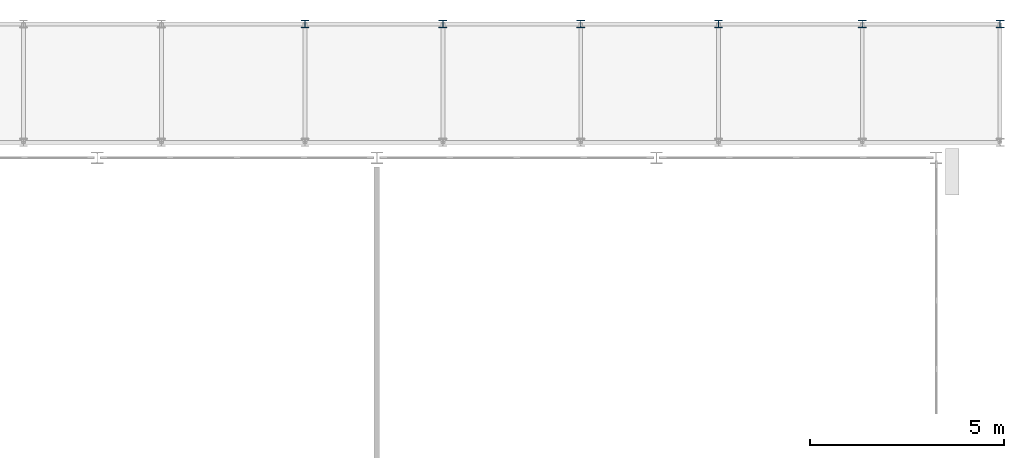
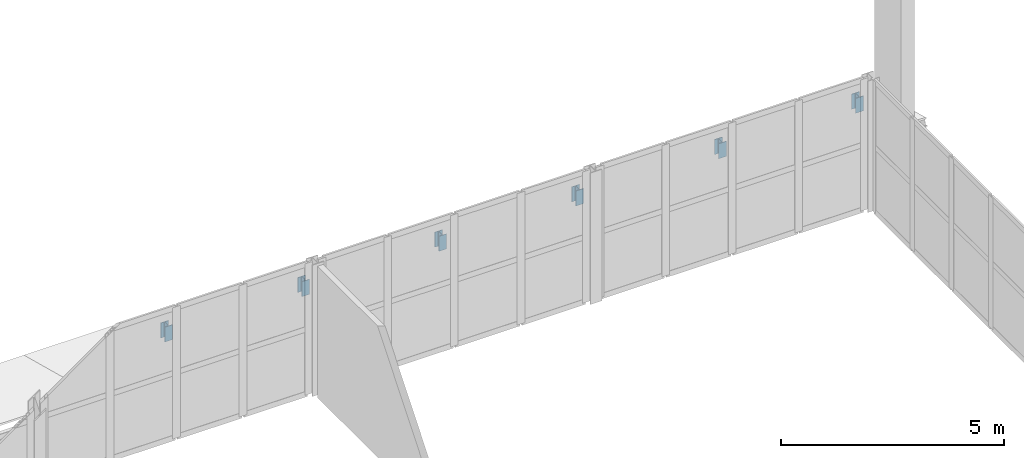
# One storey, part 26 of 124: 6 columns.
"""IFC4 building model written with IfcOpenShell, lengths in metres."""

from ifc_helpers import new_model, si_unit, direction, frame, origin, origin_2d, place, context, subcontext, project, spatial, i_section, extrude, material, material_profile, profile_set, type_object, element, save


model = new_model("IFC4")

# Units and contexts
model_context = context("Model", 3, precision=1e-05, world=origin(), true_north=direction((0.0, 1.0)))
body_context = subcontext(model_context, "Body", "Model", "MODEL_VIEW")
ifc_project = project(units=[si_unit("LENGTHUNIT", "METRE"), si_unit("AREAUNIT", "SQUARE_METRE"), si_unit("VOLUMEUNIT", "CUBIC_METRE"), si_unit("PLANEANGLEUNIT", "RADIAN"), si_unit("MASSUNIT", "GRAM", prefix="KILO")], contexts=[model_context])

# Site, building, storey
site_placement = place(None, origin())
site = spatial("IfcSite", under=ifc_project, at=site_placement, CompositionType="ELEMENT")
building_placement = place(site_placement, origin())
building = spatial("IfcBuilding", under=site, at=building_placement, Name="Kupolbacken Congress Centre", CompositionType="ELEMENT")
storey_placement = place(building_placement, frame((0.0, 0.0, 10.800048828125)))
storey = spatial("IfcBuildingStorey", under=building, at=storey_placement, Name="L03", CompositionType="ELEMENT", Elevation=10.800048828125)

# Columns
ifc_material = material(Name="Steel S355", Category="steel")
ifc_material_profile = material_profile(ifc_material, i_section(OverallWidth=0.199951171875, OverallDepth=0.199951171875, WebThickness=0.009033203125, FlangeThickness=0.014892578125, FilletRadius=0.01806640625, at=origin_2d()), Name="HEB 200")
ifc_profile_set = profile_set([ifc_material_profile], Name="Steel S355")
column_type = type_object("IfcColumnType", Name="C11 column HEB 200", PredefinedType="COLUMN", material=ifc_profile_set)
for number, where, z_axis, x_axis, name in (
    (1, (185.35009765625, 154.64990234375, 0.0), (0.0, 0.0, 1.0), (1.0, 0.0, 0.0), "Covered passage column"),
    (2, (188.89990234375, 154.64990234375, 0.0), (0.0, 0.0, 1.0), (1.0, 0.0, 0.0), "Covered passage column"),
    (3, (192.449951171875, 154.64990234375, 0.0), (0.0, 0.0, 1.0), (1.0, 0.0, 0.0), "Covered passage column"),
    (4, (196.0, 154.64990234375, 0.0), (0.0, 0.0, 1.0), (1.0, 0.0, 0.0), "Covered passage column"),
    (5, (199.699951171875, 154.64990234375, 0.0), (0.0, 0.0, 1.0), (1.0, 0.0, 0.0), "Covered passage column"),
    (6, (203.25, 154.64990234375, 0.0), (0.0, 0.0, 1.0), (1.0, 0.0, 0.0), "Covered passage column"),
):
    element("IfcColumn", number, at=place(storey_placement, frame(where, z_axis=z_axis, x_axis=x_axis)), inside=storey, type_object=column_type, Name=name, PredefinedType="COLUMN", context=body_context, shape_type="SweptSolid", body=[
        extrude(i_section(OverallWidth=0.199951171875, OverallDepth=0.199951171875, WebThickness=0.009033203125, FlangeThickness=0.014892578125, FilletRadius=0.01806640625, at=origin_2d()), origin(), (0.0, 0.0, 1.0), 0.409912109375),
    ])

save(model, "model.ifc")
